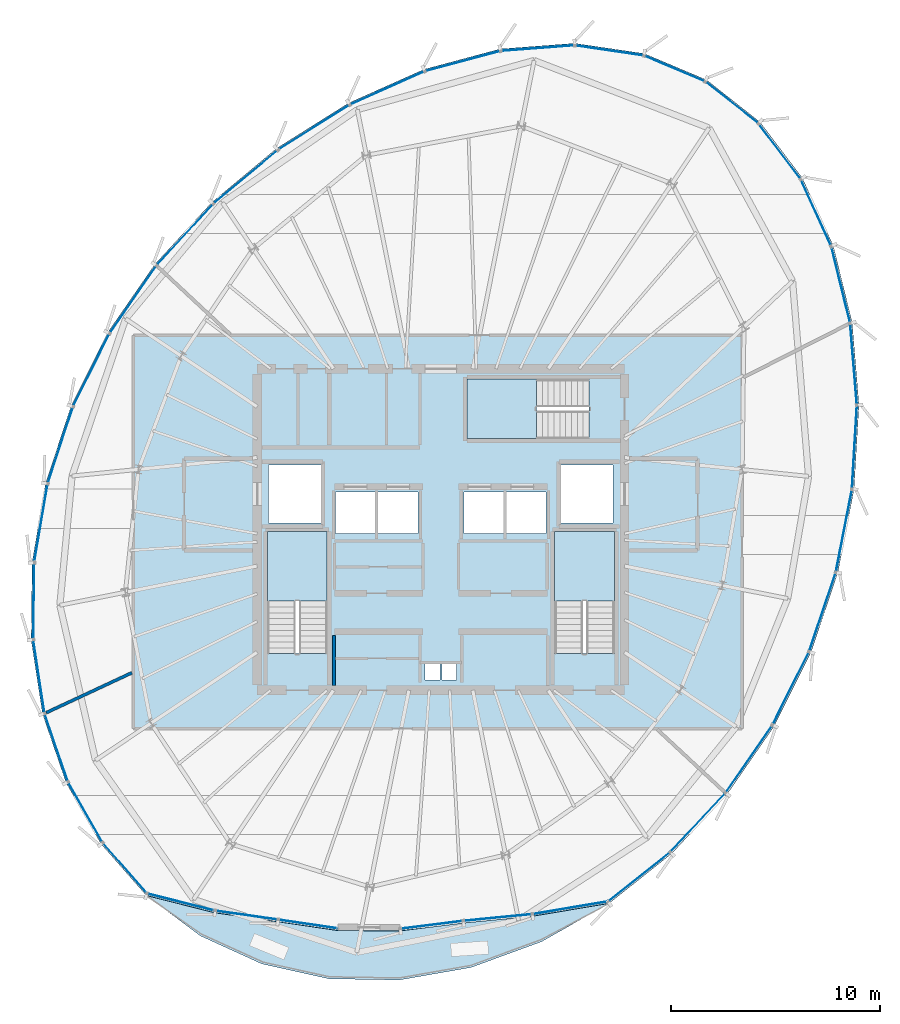
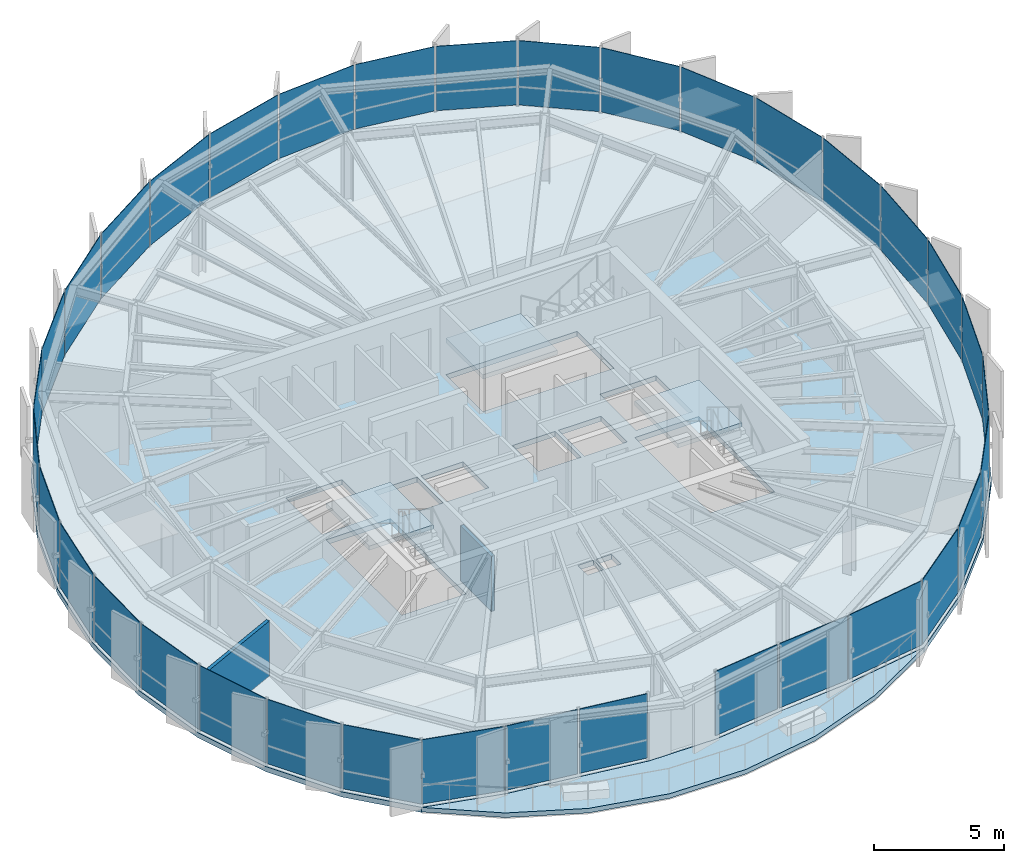
# One storey, part 25 of 32: 35 plates, 5 slabs, 2 walls, 10 elements without a shape of their own.
"""IFC4 building model written with IfcOpenShell, lengths in metres."""

from ifc_helpers import new_model, si_unit, direction, frame, frame_2d, origin, origin_2d, place, context, subcontext, project, spatial, polyline, rectangle, outline, extrude, source, transform, mapped, material, layer, layer_set, type_object, element, aggregate, save


model = new_model("IFC4")

# Units and contexts
model_context = context("Model", 3, precision=1e-05, world=origin(), true_north=direction((0.0, 1.0)))
body_context = subcontext(model_context, "Body", "Model", "MODEL_VIEW")
ifc_project = project(units=[si_unit("LENGTHUNIT", "METRE"), si_unit("AREAUNIT", "SQUARE_METRE"), si_unit("VOLUMEUNIT", "CUBIC_METRE"), si_unit("PLANEANGLEUNIT", "RADIAN"), si_unit("MASSUNIT", "GRAM", prefix="KILO"), si_unit("THERMODYNAMICTEMPERATUREUNIT", "KELVIN")], contexts=[model_context])

# Site, building, storey
site_placement = place(None, origin())
site = spatial("IfcSite", under=ifc_project, at=site_placement, CompositionType="ELEMENT")
building_placement = place(site_placement, origin())
building = spatial("IfcBuilding", under=site, at=building_placement, Name="Kethvar Cultural Tower", CompositionType="ELEMENT")
storey_placement = place(building_placement, frame((0.0, 0.0, 273.25)))
storey = spatial("IfcBuildingStorey", under=building, at=storey_placement, Name="L72", CompositionType="ELEMENT", Elevation=273.25)

# Stair, slab
ifc_material_1 = material(Name="Concrete C40/50", Category="concrete")
stair_type = type_object("IfcStairType", Name="ST-DOGLEG-135", PredefinedType="HALF_TURN_STAIR", material=ifc_material_1)
stair_1_placement = place(storey_placement, origin())
stair_1 = element("IfcStair", 1, at=stair_1_placement, inside=storey, type_object=stair_type, Name="L72 Core Exit Stair 1", PredefinedType="HALF_TURN_STAIR")
ifc_layer_1 = layer(ifc_material_1, 0.199951171875, Name="Concrete C40/50", Category="concrete")
ifc_layer_set_1 = layer_set([ifc_layer_1], Name="Concrete C40/50 (200 mm)")
slab_type_1 = type_object("IfcSlabType", Name="SL-STAIR-LANDING-200", PredefinedType="LANDING", material=ifc_layer_set_1)
slab_1_placement = place(storey_placement, frame((0.0, 0.0, 1.52490234375)))
slab_1 = element("IfcSlab", 2, at=slab_1_placement, type_object=slab_type_1, Name="ST-01 landing 1", PredefinedType="LANDING", context=body_context, shape_type="SweptSolid", body=[
    extrude(outline(polyline([(41.35009765625, 24.3701171875), (41.35009765625, 27.699951171875), (38.489990234375, 27.699951171875), (38.489990234375, 24.3701171875), (41.35009765625, 24.3701171875)])), origin(), (0.0, 0.0, 1.0), 0.2001953125),
])
aggregate(stair_1, [slab_1])

stair_2_placement = place(storey_placement, origin())
stair_2 = element("IfcStair", 3, at=stair_2_placement, inside=storey, type_object=stair_type, Name="L72 Core Exit Stair 2", PredefinedType="HALF_TURN_STAIR")
slab_2_placement = place(storey_placement, frame((0.0, 0.0, 1.52490234375)))
slab_2 = element("IfcSlab", 4, at=slab_2_placement, type_object=slab_type_1, Name="ST-02 landing 1", PredefinedType="LANDING", context=body_context, shape_type="SweptSolid", body=[
    extrude(outline(polyline([(55.110107421875, 24.3701171875), (55.110107421875, 27.699951171875), (52.25, 27.699951171875), (52.25, 24.3701171875), (55.110107421875, 24.3701171875)])), origin(), (0.0, 0.0, 1.0), 0.2001953125),
])
aggregate(stair_2, [slab_2])

stair_3_placement = place(storey_placement, origin())
stair_3 = element("IfcStair", 5, at=stair_3_placement, inside=storey, type_object=stair_type, Name="L72 Core Exit Stair 3", PredefinedType="HALF_TURN_STAIR")
slab_3_placement = place(storey_placement, frame((0.0, 0.0, 1.52490234375)))
slab_3 = element("IfcSlab", 6, at=slab_3_placement, type_object=slab_type_1, Name="ST-03 landing 1", PredefinedType="LANDING", context=body_context, shape_type="SweptSolid", body=[
    extrude(outline(polyline([(51.3798828125, 35.010009765625), (48.050048828125, 35.010009765625), (48.050048828125, 32.14990234375), (51.3798828125, 32.14990234375), (51.3798828125, 35.010009765625)])), origin(), (0.0, 0.0, 1.0), 0.2001953125),
])
aggregate(stair_3, [slab_3])

# Slabs
ifc_layer_2 = layer(ifc_material_1, 0.215087890625, Name="Concrete C40/50", Category="concrete")
ifc_layer_set_2 = layer_set([ifc_layer_2], Name="Concrete C40/50 (215 mm)")
slab_type_2 = type_object("IfcSlabType", Name="SL-TER-EXT", PredefinedType="FLOOR", material=ifc_layer_set_2)
slab_4_placement = place(storey_placement, frame((0.0, 0.0, -0.215087890625)))
element("IfcSlab", 7, at=slab_4_placement, inside=storey, type_object=slab_type_2, Name="L72 Spiralling Sky Terrace Deck", PredefinedType="FLOOR", context=body_context, shape_type="SweptSolid", body=[
    extrude(outline(polyline([(32.68505859375, 10.26025390625), (35.282470703125, 8.324951171875), (38.229736328125, 6.981201171875), (41.4375, 6.27001953125), (44.80810546875, 6.213134765625), (48.2392578125, 6.81201171875), (51.626708984375, 8.048828125), (54.867431640625, 9.885498046875), (51.197509765625, 9.267822265625), (47.88623046875, 8.945068359375), (44.832763671875, 8.56298828125), (41.869873046875, 8.580078125), (38.990478515625, 9.0048828125), (35.9404296875, 9.4375), (32.68505859375, 10.26025390625)])), origin(), (0.0, 0.0, 1.0), 0.215087890625),
])
ifc_layer_3 = layer(ifc_material_1, 0.239990234375, Name="Concrete C40/50", Category="concrete")
ifc_layer_set_3 = layer_set([ifc_layer_3], Name="Concrete C40/50 (240 mm)")
slab_type_3 = type_object("IfcSlabType", Name="SL-TOW-240", PredefinedType="FLOOR", material=ifc_layer_set_3)
slab_5_placement = place(storey_placement, frame((0.0, 0.0, -0.239990234375)))
element("IfcSlab", 8, at=slab_5_placement, inside=storey, type_object=slab_type_3, Name="L72 Structural Floor Slab", PredefinedType="FLOOR", context=body_context, shape_type="SweptSolid", body=[
    extrude(outline(polyline([(59.539306640625, 49.3408203125), (56.546142578125, 50.60693359375), (53.208251953125, 51.09814453125), (49.64453125, 50.82861328125), (45.98828125, 49.848876953125), (42.3779296875, 48.235595703125), (38.948486328125, 46.07958984375), (35.8203125, 43.474609375), (33.0927734375, 40.506103515625), (30.834716796875, 37.24169921875), (29.077392578125, 33.716552734375), (27.8583984375, 30.011474609375), (27.215087890625, 26.2392578125), (27.16650390625, 22.514404296875), (27.71484375, 18.9501953125), (28.843017578125, 15.655029296875), (30.5166015625, 12.728759765625), (32.68505859375, 10.26025390625), (35.9404296875, 9.4375), (38.990478515625, 9.0048828125), (41.869873046875, 8.580078125), (44.832763671875, 8.56298828125), (47.88623046875, 8.945068359375), (51.197509765625, 9.267822265625), (54.867431640625, 9.885498046875), (57.863037109375, 12.2666015625), (60.522705078125, 15.119873046875), (62.76513671875, 18.358154296875), (64.5380859375, 21.909423828125), (65.8251953125, 25.729736328125), (66.60107421875, 29.725830078125), (66.838134765625, 33.769775390625), (66.5126953125, 37.710693359375), (65.60986328125, 41.386962890625), (64.129150390625, 44.6396484375), (62.0908203125, 47.327880859375), (59.539306640625, 49.3408203125)]), holes=[polyline([(38.489990234375, 21.85009765625), (38.489990234375, 27.699951171875), (41.35009765625, 27.699951171875), (41.35009765625, 21.85009765625), (38.489990234375, 21.85009765625)]), polyline([(52.25, 21.85009765625), (52.25, 27.699951171875), (55.110107421875, 27.699951171875), (55.110107421875, 21.85009765625), (52.25, 21.85009765625)]), polyline([(53.89990234375, 32.14990234375), (48.050048828125, 32.14990234375), (48.050048828125, 35.010009765625), (53.89990234375, 35.010009765625), (53.89990234375, 32.14990234375)]), polyline([(41.75, 29.60009765625), (43.64990234375, 29.60009765625), (43.64990234375, 27.60009765625), (41.75, 27.60009765625), (41.75, 29.60009765625)]), polyline([(43.800048828125, 29.60009765625), (45.699951171875, 29.60009765625), (45.699951171875, 27.60009765625), (43.800048828125, 27.60009765625), (43.800048828125, 29.60009765625)]), polyline([(47.89990234375, 29.60009765625), (49.800048828125, 29.60009765625), (49.800048828125, 27.60009765625), (47.89990234375, 27.60009765625), (47.89990234375, 29.60009765625)]), polyline([(49.949951171875, 29.60009765625), (51.85009765625, 29.60009765625), (51.85009765625, 27.60009765625), (49.949951171875, 27.60009765625), (49.949951171875, 29.60009765625)]), polyline([(38.550048828125, 30.89990234375), (41.050048828125, 30.89990234375), (41.050048828125, 28.10009765625), (38.550048828125, 28.10009765625), (38.550048828125, 30.89990234375)]), polyline([(52.550048828125, 30.89990234375), (55.050048828125, 30.89990234375), (55.050048828125, 28.10009765625), (52.550048828125, 28.10009765625), (52.550048828125, 30.89990234375)]), polyline([(46.050048828125, 21.35009765625), (46.75, 21.35009765625), (46.75, 20.60009765625), (46.050048828125, 20.60009765625), (46.050048828125, 21.35009765625)]), polyline([(46.85009765625, 21.35009765625), (47.550048828125, 21.35009765625), (47.550048828125, 20.60009765625), (46.85009765625, 20.60009765625), (46.85009765625, 21.35009765625)])]), origin(), (0.0, 0.0, 1.0), 0.239990234375),
])

# Curtain wall, plate
ifc_material_2 = material(Name="Aluminium 6063-T6", Category="aluminium")
ifc_layer_4 = layer(ifc_material_2, 0.179931640625, Name="Aluminium 6063-T6", Category="aluminium")
ifc_layer_set_4 = layer_set([ifc_layer_4], Name="Aluminium 6063-T6 (180 mm)")
curtain_wall_type = type_object("IfcCurtainWallType", Name="CW-SYS-05-Z56", PredefinedType="NOTDEFINED", material=ifc_layer_set_4)
curtain_wall_1_placement = place(storey_placement, origin())
curtain_wall_1 = element("IfcCurtainWall", 9, at=curtain_wall_1_placement, inside=storey, type_object=curtain_wall_type, Name="L72 Curtain Wall Run 03", PredefinedType="NOTDEFINED")
ifc_material_3 = material(Name="Insulated Low-E Solar Glass", Category="glass")
ifc_layer_5 = layer(ifc_material_3, 0.028076171875, Name="Insulated Low-E Solar Glass", Category="glass")
ifc_layer_set_5 = layer_set([ifc_layer_5], Name="Insulated Low-E Solar Glass (28 mm)")
plate_type = type_object("IfcPlateType", Name="CW-SYS-05-Z56-PNL", PredefinedType="CURTAIN_PANEL", material=ifc_layer_set_5)
shared_shape_1 = source(origin(), body_context, "Body", "SweptSolid", [
    extrude(rectangle(XDim=3.40380859375, YDim=0.028076171875, at=origin_2d()), origin(), (0.0, 0.0, 1.0), 3.030029296875),
])
plate_1_placement = place(storey_placement, frame((28.373291015625, 17.3349609375, 0.08984375), z_axis=(0.0, 0.0, 1.0), x_axis=(0.323884393392, -0.946096665102, 0.0)))
plate_1 = element("IfcPlate", 10, at=plate_1_placement, type_object=plate_type, Name="CW-L72-R03 Vision Glazing Panel 3", PredefinedType="CURTAIN_PANEL", context=body_context, shape_type="MappedRepresentation", body=[
    mapped(shared_shape_1, transform((0.0, 0.0, 0.0), scale=1.0)),
])

# Curtain wall, plates
curtain_wall_2_placement = place(storey_placement, origin())
curtain_wall_2 = element("IfcCurtainWall", 11, at=curtain_wall_2_placement, inside=storey, type_object=curtain_wall_type, Name="L72 Curtain Wall Run 01", PredefinedType="NOTDEFINED")
shared_shape_2 = source(origin(), body_context, "Body", "SweptSolid", [
    extrude(rectangle(XDim=3.170654296875, YDim=0.028076171875, at=origin_2d()), origin(), (0.0, 0.0, 1.0), 3.030029296875),
])
plate_2_placement = place(storey_placement, frame((58.003662109375, 49.8818359375, 0.08984375), z_axis=(0.0, 0.0, 1.0), x_axis=(-0.920988334248, 0.389590154109, 0.0)))
plate_2 = element("IfcPlate", 12, at=plate_2_placement, type_object=plate_type, Name="CW-L72-R01 Vision Glazing Panel 1", PredefinedType="CURTAIN_PANEL", context=body_context, shape_type="MappedRepresentation", body=[
    mapped(shared_shape_2, transform((0.0, 0.0, 0.0), scale=1.0)),
])
shared_shape_3 = source(origin(), body_context, "Body", "SweptSolid", [
    extrude(rectangle(XDim=3.294677734375, YDim=0.028076171875, at=origin_2d()), origin(), (0.0, 0.0, 1.0), 3.030029296875),
])
plate_3_placement = place(storey_placement, frame((54.86279296875, 50.753662109375, 0.08984375), z_axis=(0.0, 0.0, 1.0), x_axis=(-0.989343604466, 0.145599561474, 0.0)))
plate_3 = element("IfcPlate", 13, at=plate_3_placement, type_object=plate_type, Name="CW-L72-R01 Vision Glazing Panel 2", PredefinedType="CURTAIN_PANEL", context=body_context, shape_type="MappedRepresentation", body=[
    mapped(shared_shape_3, transform((0.0, 0.0, 0.0), scale=1.0)),
])

# Curtain wall, plate
curtain_wall_3_placement = place(storey_placement, origin())
curtain_wall_3 = element("IfcCurtainWall", 14, at=curtain_wall_3_placement, inside=storey, type_object=curtain_wall_type, Name="L72 Curtain Wall Run 07", PredefinedType="NOTDEFINED")
plate_4_placement = place(storey_placement, frame((63.0302734375, 45.92333984375, 0.08984375), z_axis=(0.0, 0.0, 1.0), x_axis=(-0.604195877415, 0.796835831093, 0.0)))
plate_4 = element("IfcPlate", 15, at=plate_4_placement, type_object=plate_type, Name="CW-L72-R07 Vision Glazing Panel 2", PredefinedType="CURTAIN_PANEL", context=body_context, shape_type="MappedRepresentation", body=[
    mapped(shared_shape_3, transform((0.0, 0.0, 0.0), scale=1.0)),
])

# Plate
shared_shape_4 = source(origin(), body_context, "Body", "SweptSolid", [
    extrude(rectangle(XDim=3.49462890625, YDim=0.028076171875, at=origin_2d()), origin(), (0.0, 0.0, 1.0), 3.030029296875),
])
plate_5_placement = place(storey_placement, frame((51.43408203125, 50.86376953125, 0.08984375), z_axis=(0.0, 0.0, 1.0), x_axis=(-0.99715232296, -0.075413823771, 0.0)))
plate_5 = element("IfcPlate", 16, at=plate_5_placement, type_object=plate_type, Name="CW-L72-R01 Vision Glazing Panel 3", PredefinedType="CURTAIN_PANEL", context=body_context, shape_type="MappedRepresentation", body=[
    mapped(shared_shape_4, transform((0.0, 0.0, 0.0), scale=1.0)),
])

plate_6_placement = place(storey_placement, frame((64.7783203125, 42.9716796875, 0.08984375), z_axis=(0.0, 0.0, 1.0), x_axis=(-0.414312042601, 0.91013489734, 0.0)))
plate_6 = element("IfcPlate", 17, at=plate_6_placement, type_object=plate_type, Name="CW-L72-R07 Vision Glazing Panel 1", PredefinedType="CURTAIN_PANEL", context=body_context, shape_type="MappedRepresentation", body=[
    mapped(shared_shape_4, transform((0.0, 0.0, 0.0), scale=1.0)),
])

shared_shape_5 = source(origin(), body_context, "Body", "SweptSolid", [
    extrude(rectangle(XDim=3.706298828125, YDim=0.028076171875, at=origin_2d()), origin(), (0.0, 0.0, 1.0), 3.030029296875),
])
plate_7_placement = place(storey_placement, frame((47.84228515625, 50.2421875, 0.08984375), z_axis=(0.0, 0.0, 1.0), x_axis=(-0.965921308897, -0.258835903649, 0.0)))
plate_7 = element("IfcPlate", 18, at=plate_7_placement, type_object=plate_type, Name="CW-L72-R01 Vision Glazing Panel 4", PredefinedType="CURTAIN_PANEL", context=body_context, shape_type="MappedRepresentation", body=[
    mapped(shared_shape_5, transform((0.0, 0.0, 0.0), scale=1.0)),
])

# Curtain wall, plate
curtain_wall_4_placement = place(storey_placement, origin())
curtain_wall_4 = element("IfcCurtainWall", 19, at=curtain_wall_4_placement, inside=storey, type_object=curtain_wall_type, Name="L72 Curtain Wall Run 06", PredefinedType="NOTDEFINED")
plate_8_placement = place(storey_placement, frame((65.964111328125, 39.52490234375, 0.08984375), z_axis=(0.0, 0.0, 1.0), x_axis=(-0.238516508052, 0.971138442956, 0.0)))
plate_8 = element("IfcPlate", 20, at=plate_8_placement, type_object=plate_type, Name="CW-L72-R06 Vision Glazing Panel 6", PredefinedType="CURTAIN_PANEL", context=body_context, shape_type="MappedRepresentation", body=[
    mapped(shared_shape_5, transform((0.0, 0.0, 0.0), scale=1.0)),
])

# Plate
shared_shape_6 = source(origin(), body_context, "Body", "SweptSolid", [
    extrude(rectangle(XDim=3.875, YDim=0.028076171875, at=origin_2d()), origin(), (0.0, 0.0, 1.0), 3.030029296875),
])
plate_9_placement = place(storey_placement, frame((44.223876953125, 48.950927734375, 0.08984375), z_axis=(0.0, 0.0, 1.0), x_axis=(-0.912976655837, -0.408011796273, 0.0)))
plate_9 = element("IfcPlate", 21, at=plate_9_placement, type_object=plate_type, Name="CW-L72-R01 Vision Glazing Panel 5", PredefinedType="CURTAIN_PANEL", context=body_context, shape_type="MappedRepresentation", body=[
    mapped(shared_shape_6, transform((0.0, 0.0, 0.0), scale=1.0)),
])

plate_10_placement = place(storey_placement, frame((66.57568359375, 35.73193359375, 0.08984375), z_axis=(0.0, 0.0, 1.0), x_axis=(-0.082286395708, 0.996608724165, 0.0)))
plate_10 = element("IfcPlate", 22, at=plate_10_placement, type_object=plate_type, Name="CW-L72-R06 Vision Glazing Panel 5", PredefinedType="CURTAIN_PANEL", context=body_context, shape_type="MappedRepresentation", body=[
    mapped(shared_shape_6, transform((0.0, 0.0, 0.0), scale=1.0)),
])

shared_shape_7 = source(origin(), body_context, "Body", "SweptSolid", [
    extrude(rectangle(XDim=3.9716796875, YDim=0.028076171875, at=origin_2d()), origin(), (0.0, 0.0, 1.0), 3.030029296875),
])
plate_11_placement = place(storey_placement, frame((40.716552734375, 47.072998046875, 0.08984375), z_axis=(0.0, 0.0, 1.0), x_axis=(-0.846611425146, -0.532211513228, 0.0)))
plate_11 = element("IfcPlate", 23, at=plate_11_placement, type_object=plate_type, Name="CW-L72-R01 Vision Glazing Panel 6", PredefinedType="CURTAIN_PANEL", context=body_context, shape_type="MappedRepresentation", body=[
    mapped(shared_shape_7, transform((0.0, 0.0, 0.0), scale=1.0)),
])

aggregate(curtain_wall_2, [plate_2, plate_3, plate_5, plate_7, plate_9, plate_11])

plate_12_placement = place(storey_placement, frame((66.619873046875, 31.753662109375, 0.08984375), z_axis=(0.0, 0.0, 1.0), x_axis=(0.058522339638, 0.998286099154, 0.0)))
plate_12 = element("IfcPlate", 24, at=plate_12_placement, type_object=plate_type, Name="CW-L72-R06 Vision Glazing Panel 4", PredefinedType="CURTAIN_PANEL", context=body_context, shape_type="MappedRepresentation", body=[
    mapped(shared_shape_7, transform((0.0, 0.0, 0.0), scale=1.0)),
])

# Curtain wall, plate
curtain_wall_5_placement = place(storey_placement, origin())
curtain_wall_5 = element("IfcCurtainWall", 25, at=curtain_wall_5_placement, inside=storey, type_object=curtain_wall_type, Name="L72 Curtain Wall Run 02", PredefinedType="NOTDEFINED")
shared_shape_8 = source(origin(), body_context, "Body", "SweptSolid", [
    extrude(rectangle(XDim=3.99169921875, YDim=0.028076171875, at=origin_2d()), origin(), (0.0, 0.0, 1.0), 3.030029296875),
])
plate_13_placement = place(storey_placement, frame((37.448486328125, 44.7001953125, 0.08984375), z_axis=(0.0, 0.0, 1.0), x_axis=(-0.7684287401, -0.639935365008, 0.0)))
plate_13 = element("IfcPlate", 26, at=plate_13_placement, type_object=plate_type, Name="CW-L72-R02 Vision Glazing Panel 1", PredefinedType="CURTAIN_PANEL", context=body_context, shape_type="MappedRepresentation", body=[
    mapped(shared_shape_8, transform((0.0, 0.0, 0.0), scale=1.0)),
])

# Plate
plate_14_placement = place(storey_placement, frame((66.114990234375, 27.746826171875, 0.08984375), z_axis=(0.0, 0.0, 1.0), x_axis=(0.190586266324, 0.981670451368, 0.0)))
plate_14 = element("IfcPlate", 27, at=plate_14_placement, type_object=plate_type, Name="CW-L72-R06 Vision Glazing Panel 3", PredefinedType="CURTAIN_PANEL", context=body_context, shape_type="MappedRepresentation", body=[
    mapped(shared_shape_8, transform((0.0, 0.0, 0.0), scale=1.0)),
])

shared_shape_9 = source(origin(), body_context, "Body", "SweptSolid", [
    extrude(rectangle(XDim=3.9521484375, YDim=0.028076171875, at=origin_2d()), origin(), (0.0, 0.0, 1.0), 3.030029296875),
])
plate_15_placement = place(storey_placement, frame((34.530029296875, 41.922607421875, 0.08984375), z_axis=(0.0, 0.0, 1.0), x_axis=(-0.676606130551, -0.736345125672, 0.0)))
plate_15 = element("IfcPlate", 28, at=plate_15_placement, type_object=plate_type, Name="CW-L72-R02 Vision Glazing Panel 2", PredefinedType="CURTAIN_PANEL", context=body_context, shape_type="MappedRepresentation", body=[
    mapped(shared_shape_9, transform((0.0, 0.0, 0.0), scale=1.0)),
])

plate_16_placement = place(storey_placement, frame((65.0869140625, 23.8515625, 0.08984375), z_axis=(0.0, 0.0, 1.0), x_axis=(0.319290123445, 0.947657014468, 0.0)))
plate_16 = element("IfcPlate", 29, at=plate_16_placement, type_object=plate_type, Name="CW-L72-R06 Vision Glazing Panel 2", PredefinedType="CURTAIN_PANEL", context=body_context, shape_type="MappedRepresentation", body=[
    mapped(shared_shape_9, transform((0.0, 0.0, 0.0), scale=1.0)),
])

shared_shape_10 = source(origin(), body_context, "Body", "SweptSolid", [
    extrude(rectangle(XDim=3.889892578125, YDim=0.028076171875, at=origin_2d()), origin(), (0.0, 0.0, 1.0), 3.030029296875),
])
plate_17_placement = place(storey_placement, frame((32.0458984375, 38.817138671875, 0.08984375), z_axis=(0.0, 0.0, 1.0), x_axis=(-0.568863326036, -0.822432073968, 0.0)))
plate_17 = element("IfcPlate", 30, at=plate_17_placement, type_object=plate_type, Name="CW-L72-R02 Vision Glazing Panel 3", PredefinedType="CURTAIN_PANEL", context=body_context, shape_type="MappedRepresentation", body=[
    mapped(shared_shape_10, transform((0.0, 0.0, 0.0), scale=1.0)),
])

plate_18_placement = place(storey_placement, frame((63.56201171875, 20.178466796875, 0.08984375), z_axis=(0.0, 0.0, 1.0), x_axis=(0.446650722921, 0.89470840597, 0.0)))
plate_18 = element("IfcPlate", 31, at=plate_18_placement, type_object=plate_type, Name="CW-L72-R06 Vision Glazing Panel 1", PredefinedType="CURTAIN_PANEL", context=body_context, shape_type="MappedRepresentation", body=[
    mapped(shared_shape_10, transform((0.0, 0.0, 0.0), scale=1.0)),
])

aggregate(curtain_wall_4, [plate_18, plate_16, plate_14, plate_12, plate_10, plate_8])

shared_shape_11 = source(origin(), body_context, "Body", "SweptSolid", [
    extrude(rectangle(XDim=3.85986328125, YDim=0.028076171875, at=origin_2d()), origin(), (0.0, 0.0, 1.0), 3.030029296875),
])
plate_19_placement = place(storey_placement, frame((30.04541015625, 35.4345703125, 0.08984375), z_axis=(0.0, 0.0, 1.0), x_axis=(-0.446166573736, -0.894949936299, 0.0)))
plate_19 = element("IfcPlate", 32, at=plate_19_placement, type_object=plate_type, Name="CW-L72-R02 Vision Glazing Panel 4", PredefinedType="CURTAIN_PANEL", context=body_context, shape_type="MappedRepresentation", body=[
    mapped(shared_shape_11, transform((0.0, 0.0, 0.0), scale=1.0)),
])

# Curtain wall, plate
curtain_wall_6_placement = place(storey_placement, origin())
curtain_wall_6 = element("IfcCurtainWall", 33, at=curtain_wall_6_placement, inside=storey, type_object=curtain_wall_type, Name="L72 Curtain Wall Run 05", PredefinedType="NOTDEFINED")
plate_20_placement = place(storey_placement, frame((61.561767578125, 16.7958984375, 0.08984375), z_axis=(0.0, 0.0, 1.0), x_axis=(0.569308221325, 0.822124168926, 0.0)))
plate_20 = element("IfcPlate", 34, at=plate_20_placement, type_object=plate_type, Name="CW-L72-R05 Vision Glazing Panel 6", PredefinedType="CURTAIN_PANEL", context=body_context, shape_type="MappedRepresentation", body=[
    mapped(shared_shape_11, transform((0.0, 0.0, 0.0), scale=1.0)),
])

# Plate
shared_shape_12 = source(origin(), body_context, "Body", "SweptSolid", [
    extrude(rectangle(XDim=3.821044921875, YDim=0.028076171875, at=origin_2d()), origin(), (0.0, 0.0, 1.0), 3.030029296875),
])
plate_21_placement = place(storey_placement, frame((28.56298828125, 31.832763671875, 0.08984375), z_axis=(0.0, 0.0, 1.0), x_axis=(-0.312517294296, -0.949912070018, 0.0)))
plate_21 = element("IfcPlate", 35, at=plate_21_placement, type_object=plate_type, Name="CW-L72-R02 Vision Glazing Panel 5", PredefinedType="CURTAIN_PANEL", context=body_context, shape_type="MappedRepresentation", body=[
    mapped(shared_shape_12, transform((0.0, 0.0, 0.0), scale=1.0)),
])

shared_shape_13 = source(origin(), body_context, "Body", "SweptSolid", [
    extrude(rectangle(XDim=3.74755859375, YDim=0.028076171875, at=origin_2d()), origin(), (0.0, 0.0, 1.0), 3.030029296875),
])
plate_22_placement = place(storey_placement, frame((27.63525390625, 28.108642578125, 0.08984375), z_axis=(0.0, 0.0, 1.0), x_axis=(-0.168128089065, -0.985765157463, 0.0)))
plate_22 = element("IfcPlate", 36, at=plate_22_placement, type_object=plate_type, Name="CW-L72-R02 Vision Glazing Panel 6", PredefinedType="CURTAIN_PANEL", context=body_context, shape_type="MappedRepresentation", body=[
    mapped(shared_shape_13, transform((0.0, 0.0, 0.0), scale=1.0)),
])

aggregate(curtain_wall_5, [plate_13, plate_15, plate_17, plate_19, plate_21, plate_22])

shared_shape_14 = source(origin(), body_context, "Body", "SweptSolid", [
    extrude(rectangle(XDim=3.64599609375, YDim=0.028076171875, at=origin_2d()), origin(), (0.0, 0.0, 1.0), 3.030029296875),
])
plate_23_placement = place(storey_placement, frame((27.290771484375, 24.37548828125, 0.08984375), z_axis=(0.0, 0.0, 1.0), x_axis=(-0.012984884716, -0.999915692831, 0.0)))
plate_23 = element("IfcPlate", 37, at=plate_23_placement, type_object=plate_type, Name="CW-L72-R03 Vision Glazing Panel 1", PredefinedType="CURTAIN_PANEL", context=body_context, shape_type="MappedRepresentation", body=[
    mapped(shared_shape_14, transform((0.0, 0.0, 0.0), scale=1.0)),
])

shared_shape_15 = source(origin(), body_context, "Body", "SweptSolid", [
    extrude(rectangle(XDim=3.527099609375, YDim=0.028076171875, at=origin_2d()), origin(), (0.0, 0.0, 1.0), 3.030029296875),
])
plate_24_placement = place(storey_placement, frame((27.53955078125, 20.74755859375, 0.08984375), z_axis=(0.0, 0.0, 1.0), x_axis=(0.152019884381, -0.988377435372, 0.0)))
plate_24 = element("IfcPlate", 38, at=plate_24_placement, type_object=plate_type, Name="CW-L72-R03 Vision Glazing Panel 2", PredefinedType="CURTAIN_PANEL", context=body_context, shape_type="MappedRepresentation", body=[
    mapped(shared_shape_15, transform((0.0, 0.0, 0.0), scale=1.0)),
])

shared_shape_16 = source(origin(), body_context, "Body", "SweptSolid", [
    extrude(rectangle(XDim=3.2919921875, YDim=0.028076171875, at=origin_2d()), origin(), (0.0, 0.0, 1.0), 3.030029296875),
])
plate_25_placement = place(storey_placement, frame((29.7666015625, 14.241455078125, 0.08984375), z_axis=(0.0, 0.0, 1.0), x_axis=(0.496474081603, -0.868051545875, 0.0)))
plate_25 = element("IfcPlate", 39, at=plate_25_placement, type_object=plate_type, Name="CW-L72-R03 Vision Glazing Panel 4", PredefinedType="CURTAIN_PANEL", context=body_context, shape_type="MappedRepresentation", body=[
    mapped(shared_shape_16, transform((0.0, 0.0, 0.0), scale=1.0)),
])

shared_shape_17 = source(origin(), body_context, "Body", "SweptSolid", [
    extrude(rectangle(XDim=3.206298828125, YDim=0.028076171875, at=origin_2d()), origin(), (0.0, 0.0, 1.0), 3.030029296875),
])
plate_26_placement = place(storey_placement, frame((31.676025390625, 11.560302734375, 0.08984375), z_axis=(0.0, 0.0, 1.0), x_axis=(0.659988555828, -0.751275652591, 0.0)))
plate_26 = element("IfcPlate", 40, at=plate_26_placement, type_object=plate_type, Name="CW-L72-R03 Vision Glazing Panel 5", PredefinedType="CURTAIN_PANEL", context=body_context, shape_type="MappedRepresentation", body=[
    mapped(shared_shape_17, transform((0.0, 0.0, 0.0), scale=1.0)),
])

shared_shape_18 = source(origin(), body_context, "Body", "SweptSolid", [
    extrude(rectangle(XDim=3.278564453125, YDim=0.028076171875, at=origin_2d()), origin(), (0.0, 0.0, 1.0), 3.030029296875),
])
plate_27_placement = place(storey_placement, frame((34.337158203125, 9.94580078125, 0.08984375), z_axis=(0.0, 0.0, 1.0), x_axis=(0.969505260856, -0.245070498372, 0.0)))
plate_27 = element("IfcPlate", 41, at=plate_27_placement, type_object=plate_type, Name="CW-L72-R03 Vision Glazing Panel 6", PredefinedType="CURTAIN_PANEL", context=body_context, shape_type="MappedRepresentation", body=[
    mapped(shared_shape_18, transform((0.0, 0.0, 0.0), scale=1.0)),
])

aggregate(curtain_wall_1, [plate_23, plate_24, plate_1, plate_25, plate_26, plate_27])

# Curtain wall, plates
curtain_wall_7_placement = place(storey_placement, origin())
curtain_wall_7 = element("IfcCurtainWall", 42, at=curtain_wall_7_placement, inside=storey, type_object=curtain_wall_type, Name="L72 Curtain Wall Run 04", PredefinedType="NOTDEFINED")
shared_shape_19 = source(origin(), body_context, "Body", "SweptSolid", [
    extrude(rectangle(XDim=3.001220703125, YDim=0.028076171875, at=origin_2d()), origin(), (0.0, 0.0, 1.0), 3.030029296875),
])
plate_28_placement = place(storey_placement, frame((37.4794921875, 9.3203125, 0.08984375), z_axis=(0.0, 0.0, 1.0), x_axis=(0.990099747707, -0.140365556993, 0.0)))
plate_28 = element("IfcPlate", 43, at=plate_28_placement, type_object=plate_type, Name="CW-L72-R04 Vision Glazing Panel 1", PredefinedType="CURTAIN_PANEL", context=body_context, shape_type="MappedRepresentation", body=[
    mapped(shared_shape_19, transform((0.0, 0.0, 0.0), scale=1.0)),
])
shared_shape_20 = source(origin(), body_context, "Body", "SweptSolid", [
    extrude(rectangle(XDim=2.831298828125, YDim=0.028076171875, at=origin_2d()), origin(), (0.0, 0.0, 1.0), 3.030029296875),
])
plate_29_placement = place(storey_placement, frame((40.444580078125, 8.891357421875, 0.08984375), z_axis=(0.0, 0.0, 1.0), x_axis=(0.989282529072, -0.146013963969, 0.0)))
plate_29 = element("IfcPlate", 44, at=plate_29_placement, type_object=plate_type, Name="CW-L72-R04 Vision Glazing Panel 2", PredefinedType="CURTAIN_PANEL", context=body_context, shape_type="MappedRepresentation", body=[
    mapped(shared_shape_20, transform((0.0, 0.0, 0.0), scale=1.0)),
])
aggregate(curtain_wall_7, [plate_28, plate_29])

# Plate
shared_shape_21 = source(origin(), body_context, "Body", "SweptSolid", [
    extrude(rectangle(XDim=2.998046875, YDim=0.028076171875, at=origin_2d()), origin(), (0.0, 0.0, 1.0), 3.030029296875),
])
plate_30_placement = place(storey_placement, frame((46.346923828125, 8.853271484375, 0.08984375), z_axis=(0.0, 0.0, 1.0), x_axis=(0.992260583957, 0.124172998374, 0.0)))
plate_30 = element("IfcPlate", 45, at=plate_30_placement, type_object=plate_type, Name="CW-L72-R05 Vision Glazing Panel 1", PredefinedType="CURTAIN_PANEL", context=body_context, shape_type="MappedRepresentation", body=[
    mapped(shared_shape_21, transform((0.0, 0.0, 0.0), scale=1.0)),
])

shared_shape_22 = source(origin(), body_context, "Body", "SweptSolid", [
    extrude(rectangle(XDim=3.247802734375, YDim=0.028076171875, at=origin_2d()), origin(), (0.0, 0.0, 1.0), 3.030029296875),
])
plate_31_placement = place(storey_placement, frame((49.531982421875, 9.2060546875, 0.08984375), z_axis=(0.0, 0.0, 1.0), x_axis=(0.995281745332, 0.097027044731, 0.0)))
plate_31 = element("IfcPlate", 46, at=plate_31_placement, type_object=plate_type, Name="CW-L72-R05 Vision Glazing Panel 2", PredefinedType="CURTAIN_PANEL", context=body_context, shape_type="MappedRepresentation", body=[
    mapped(shared_shape_22, transform((0.0, 0.0, 0.0), scale=1.0)),
])

shared_shape_23 = source(origin(), body_context, "Body", "SweptSolid", [
    extrude(rectangle(XDim=3.642578125, YDim=0.028076171875, at=origin_2d()), origin(), (0.0, 0.0, 1.0), 3.030029296875),
])
plate_32_placement = place(storey_placement, frame((53.015869140625, 9.67529296875, 0.08984375), z_axis=(0.0, 0.0, 1.0), x_axis=(0.986129609815, 0.1659770847, 0.0)))
plate_32 = element("IfcPlate", 47, at=plate_32_placement, type_object=plate_type, Name="CW-L72-R05 Vision Glazing Panel 3", PredefinedType="CURTAIN_PANEL", context=body_context, shape_type="MappedRepresentation", body=[
    mapped(shared_shape_23, transform((0.0, 0.0, 0.0), scale=1.0)),
])

shared_shape_24 = source(origin(), body_context, "Body", "SweptSolid", [
    extrude(rectangle(XDim=3.747314453125, YDim=0.028076171875, at=origin_2d()), origin(), (0.0, 0.0, 1.0), 3.030029296875),
])
plate_33_placement = place(storey_placement, frame((56.302978515625, 11.154296875, 0.08984375), z_axis=(0.0, 0.0, 1.0), x_axis=(0.78282540777, 0.622241416936, 0.0)))
plate_33 = element("IfcPlate", 48, at=plate_33_placement, type_object=plate_type, Name="CW-L72-R05 Vision Glazing Panel 4", PredefinedType="CURTAIN_PANEL", context=body_context, shape_type="MappedRepresentation", body=[
    mapped(shared_shape_24, transform((0.0, 0.0, 0.0), scale=1.0)),
])

shared_shape_25 = source(origin(), body_context, "Body", "SweptSolid", [
    extrude(rectangle(XDim=3.8212890625, YDim=0.028076171875, at=origin_2d()), origin(), (0.0, 0.0, 1.0), 3.030029296875),
])
plate_34_placement = place(storey_placement, frame((59.119873046875, 13.761474609375, 0.08984375), z_axis=(0.0, 0.0, 1.0), x_axis=(0.681870704375, 0.731472721648, 0.0)))
plate_34 = element("IfcPlate", 49, at=plate_34_placement, type_object=plate_type, Name="CW-L72-R05 Vision Glazing Panel 5", PredefinedType="CURTAIN_PANEL", context=body_context, shape_type="MappedRepresentation", body=[
    mapped(shared_shape_25, transform((0.0, 0.0, 0.0), scale=1.0)),
])

aggregate(curtain_wall_6, [plate_30, plate_31, plate_32, plate_33, plate_34, plate_20])

shared_shape_26 = source(origin(), body_context, "Body", "SweptSolid", [
    extrude(rectangle(XDim=3.1708984375, YDim=0.028076171875, at=origin_2d()), origin(), (0.0, 0.0, 1.0), 3.030029296875),
])
plate_35_placement = place(storey_placement, frame((60.753173828125, 48.255859375, 0.08984375), z_axis=(0.0, 0.0, 1.0), x_axis=(-0.785079157984, 0.619395443719, 0.0)))
plate_35 = element("IfcPlate", 50, at=plate_35_placement, type_object=plate_type, Name="CW-L72-R07 Vision Glazing Panel 3", PredefinedType="CURTAIN_PANEL", context=body_context, shape_type="MappedRepresentation", body=[
    mapped(shared_shape_26, transform((0.0, 0.0, 0.0), scale=1.0)),
])

aggregate(curtain_wall_3, [plate_6, plate_4, plate_35])

# Walls
ifc_material_4 = material(Name="Gypsum Fireboard Partition")
ifc_layer_6 = layer(ifc_material_4, 0.14990234375, Name="Gypsum Fireboard Partition")
ifc_layer_set_6 = layer_set([ifc_layer_6], Name="Gypsum Fireboard Partition (150 mm)")
wall_type_1 = type_object("IfcWallType", Name="WL-FIRE-150", PredefinedType="PARTITIONING", material=ifc_layer_set_6)
wall_1_placement = place(storey_placement, frame((41.679931640625, 20.3349609375, 0.0), z_axis=(0.0, 0.0, 1.0), x_axis=(0.0, 1.0, 0.0)))
element("IfcWall", 51, at=wall_1_placement, inside=storey, type_object=wall_type_1, Name="L72 Reclaimed West Outer Wall", PredefinedType="PARTITIONING", context=body_context, shape_type="SweptSolid", body=[
    extrude(rectangle(XDim=2.39501953125, YDim=0.14990234375, at=frame_2d((1.197509765625, 0.0))), origin(), (0.0, 0.0, 1.0), 2.594970703125),
])
ifc_material_5 = material(Name="Gypsum Acoustic Partition")
ifc_layer_7 = layer(ifc_material_5, 0.14990234375, Name="Gypsum Acoustic Partition")
ifc_layer_set_7 = layer_set([ifc_layer_7], Name="Gypsum Acoustic Partition (150 mm)")
wall_type_2 = type_object("IfcWallType", Name="WL-PART-150", PredefinedType="PARTITIONING", material=ifc_layer_set_7)
wall_2_placement = place(storey_placement, frame((31.99755859375, 20.93603515625, 0.0), z_axis=(0.0, 0.0, 1.0), x_axis=(-0.906272593061, -0.422693727263, 0.0)))
element("IfcWall", 52, at=wall_2_placement, inside=storey, type_object=wall_type_2, Name="L72 Radial Partition Wall 01", PredefinedType="PARTITIONING", context=body_context, shape_type="SweptSolid", body=[
    extrude(rectangle(XDim=4.53125, YDim=0.14990234375, at=frame_2d((2.265625, 0.0))), origin(), (0.0, 0.0, 1.0), 2.594970703125),
])

save(model, "model.ifc")
